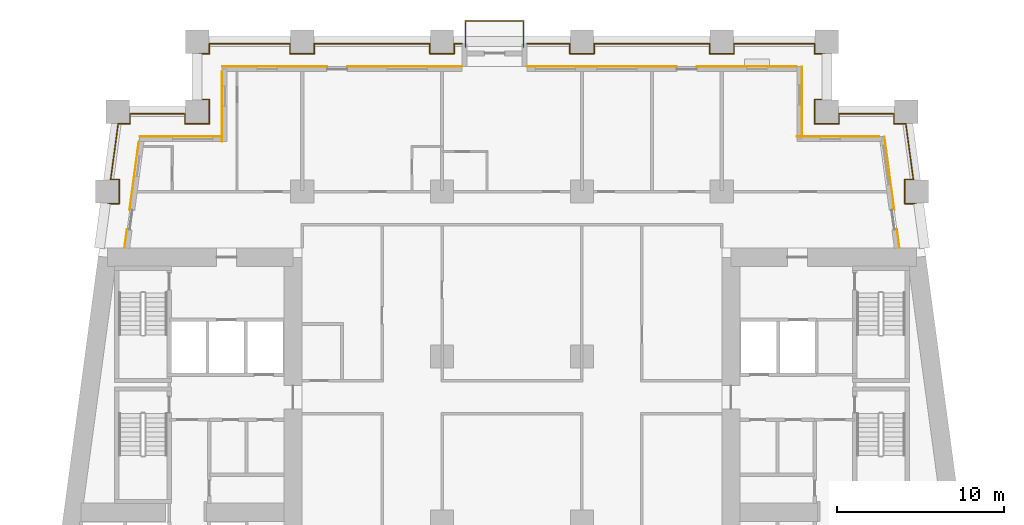
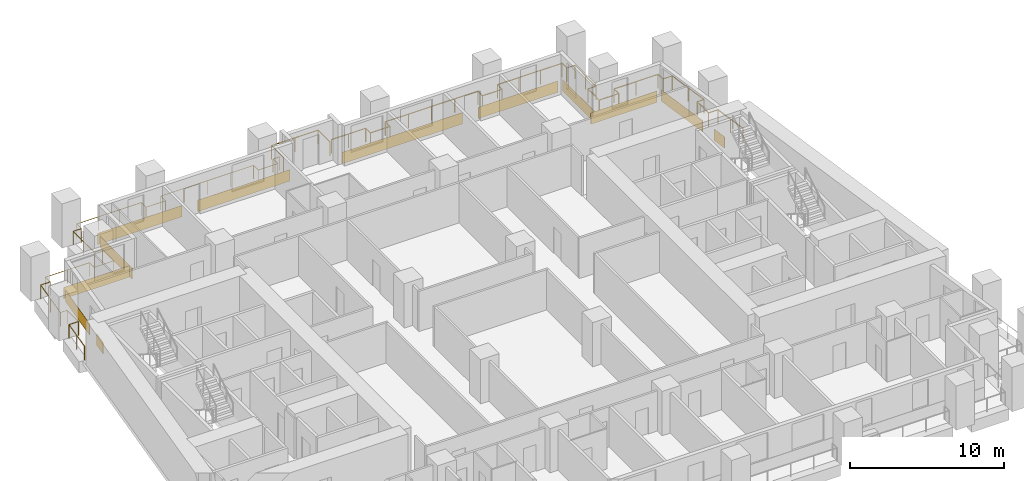
# One storey, part 11 of 12: 12 coverings, 3 railings.
"""IFC4 building model written with IfcOpenShell, lengths in metres."""

from ifc_helpers import new_model, si_unit, direction, frame, origin, origin_2d, place, context, subcontext, project, spatial, rectangle, circle, extrude, material, layer, layer_set, type_object, element, save


model = new_model("IFC4")

# Units and contexts
model_context = context("Model", 3, precision=1e-05, world=origin(), true_north=direction((0.0, 1.0)))
body_context = subcontext(model_context, "Body", "Model", "MODEL_VIEW")
ifc_project = project(units=[si_unit("LENGTHUNIT", "METRE"), si_unit("AREAUNIT", "SQUARE_METRE"), si_unit("VOLUMEUNIT", "CUBIC_METRE"), si_unit("PLANEANGLEUNIT", "RADIAN"), si_unit("MASSUNIT", "GRAM", prefix="KILO")], contexts=[model_context])

# Site, building, storey
site_placement = place(None, origin())
site = spatial("IfcSite", under=ifc_project, at=site_placement, CompositionType="ELEMENT")
building_placement = place(site_placement, origin())
building = spatial("IfcBuilding", under=site, at=building_placement, Name="Candeia Pilgrim Tower and Theatre", CompositionType="ELEMENT")
storey_placement = place(building_placement, frame((0.0, 0.0, 53.0)))
storey = spatial("IfcBuildingStorey", under=building, at=storey_placement, Name="L10", CompositionType="ELEMENT", Elevation=53.0)

# Railings
ifc_material_1 = material(Name="Stainless steel balustrade", Category="steel")
railing_type = type_object("IfcRailingType", Name="G1 loggia guard 1100", PredefinedType="GUARDRAIL", material=ifc_material_1)
railing_1_placement = place(storey_placement, frame((88.758544921875, 132.449951171875, 0.0)))
element("IfcRailing", 1, at=railing_1_placement, inside=storey, type_object=railing_type, Name="Guard L10.2", PredefinedType="GUARDRAIL", context=body_context, shape_type="SweptSolid", body=[
    extrude(circle(Radius=0.02392578125, at=origin_2d()), frame((0.0, 0.0, 1.076171875), z_axis=(0.133439920495, 0.991056904329, 0.0), x_axis=(-0.991056904329, 0.133439920495, 0.0)), (0.0, 0.0, 1.0), 2.643798828125),
    extrude(circle(Radius=0.02392578125, at=origin_2d()), frame((0.352783203125, 2.6201171875, 1.076171875), z_axis=(1.0, 0.0, 0.0), x_axis=(0.0, 1.0, 0.0)), (0.0, 0.0, 1.0), 0.70703125),
    extrude(circle(Radius=0.02392578125, at=origin_2d()), frame((1.059814453125, 2.6201171875, 1.076171875), z_axis=(0.0, 1.0, 0.0), x_axis=(-1.0, 0.0, 0.0)), (0.0, 0.0, 1.0), 1.4599609375),
    extrude(circle(Radius=0.02392578125, at=origin_2d()), frame((1.059814453125, 4.080078125, 1.076171875), z_axis=(-1.0, 0.0, 0.0), x_axis=(0.0, -1.0, 0.0)), (0.0, 0.0, 1.0), 0.510498046875),
    extrude(circle(Radius=0.02392578125, at=origin_2d()), frame((0.54931640625, 4.080078125, 1.076171875), z_axis=(0.133364121373, 0.991067107279, 0.0), x_axis=(-0.991067107279, 0.133364121373, 0.0)), (0.0, 0.0, 1.0), 3.3701171875),
    extrude(circle(Radius=0.02392578125, at=origin_2d()), frame((0.998779296875, 7.420166015625, 1.076171875), z_axis=(1.0, 0.0, 0.0), x_axis=(0.0, 1.0, 0.0)), (0.0, 0.0, 1.0), 0.707275390625),
    extrude(circle(Radius=0.02392578125, at=origin_2d()), frame((1.7060546875, 7.420166015625, 1.076171875), z_axis=(0.0, 1.0, 0.0), x_axis=(-1.0, 0.0, 0.0)), (0.0, 0.0, 1.0), 0.60986328125),
    extrude(circle(Radius=0.02392578125, at=origin_2d()), frame((1.7060546875, 8.030029296875, 1.076171875), z_axis=(1.0, 0.0, 0.0), x_axis=(0.0, 1.0, 0.0)), (0.0, 0.0, 1.0), 3.305419921875),
    extrude(circle(Radius=0.02392578125, at=origin_2d()), frame((5.011474609375, 8.030029296875, 1.076171875), z_axis=(0.0, -1.0, 0.0), x_axis=(1.0, 0.0, 0.0)), (0.0, 0.0, 1.0), 0.60986328125),
    extrude(circle(Radius=0.02392578125, at=origin_2d()), frame((5.011474609375, 7.420166015625, 1.076171875), z_axis=(1.0, 0.0, 0.0), x_axis=(0.0, 1.0, 0.0)), (0.0, 0.0, 1.0), 1.4599609375),
    extrude(circle(Radius=0.02392578125, at=origin_2d()), frame((6.471435546875, 7.420166015625, 1.076171875), z_axis=(0.0, 1.0, 0.0), x_axis=(-1.0, 0.0, 0.0)), (0.0, 0.0, 1.0), 1.4599609375),
    extrude(circle(Radius=0.02392578125, at=origin_2d()), frame((6.471435546875, 8.880126953125, 1.076171875), z_axis=(-1.0, 0.0, 0.0), x_axis=(0.0, -1.0, 0.0)), (0.0, 0.0, 1.0), 0.60986328125),
    extrude(circle(Radius=0.02392578125, at=origin_2d()), frame((5.861572265625, 8.880126953125, 1.076171875), z_axis=(0.0, 1.0, 0.0), x_axis=(-1.0, 0.0, 0.0)), (0.0, 0.0, 1.0), 2.739990234375),
    extrude(circle(Radius=0.02392578125, at=origin_2d()), frame((5.861572265625, 11.6201171875, 1.076171875), z_axis=(1.0, 0.0, 0.0), x_axis=(0.0, 1.0, 0.0)), (0.0, 0.0, 1.0), 0.60986328125),
    extrude(circle(Radius=0.02392578125, at=origin_2d()), frame((6.471435546875, 11.6201171875, 1.076171875), z_axis=(0.0, 1.0, 0.0), x_axis=(-1.0, 0.0, 0.0)), (0.0, 0.0, 1.0), 0.60986328125),
    extrude(circle(Radius=0.02392578125, at=origin_2d()), frame((6.471435546875, 12.22998046875, 1.076171875), z_axis=(1.0, 0.0, 0.0), x_axis=(0.0, 1.0, 0.0)), (0.0, 0.0, 1.0), 4.840087890625),
    extrude(circle(Radius=0.02392578125, at=origin_2d()), frame((11.3115234375, 12.22998046875, 1.076171875), z_axis=(0.0, -1.0, 0.0), x_axis=(1.0, 0.0, 0.0)), (0.0, 0.0, 1.0), 0.60986328125),
    extrude(circle(Radius=0.02392578125, at=origin_2d()), frame((11.3115234375, 11.6201171875, 1.076171875), z_axis=(1.0, 0.0, 0.0), x_axis=(0.0, 1.0, 0.0)), (0.0, 0.0, 1.0), 1.4599609375),
    extrude(circle(Radius=0.02392578125, at=origin_2d()), frame((12.771484375, 11.6201171875, 1.076171875), z_axis=(0.0, 1.0, 0.0), x_axis=(-1.0, 0.0, 0.0)), (0.0, 0.0, 1.0), 0.60986328125),
    extrude(circle(Radius=0.02392578125, at=origin_2d()), frame((12.771484375, 12.22998046875, 1.076171875), z_axis=(1.0, 0.0, 0.0), x_axis=(0.0, 1.0, 0.0)), (0.0, 0.0, 1.0), 6.93994140625),
    extrude(circle(Radius=0.02392578125, at=origin_2d()), frame((19.71142578125, 12.22998046875, 1.076171875), z_axis=(0.0, -1.0, 0.0), x_axis=(1.0, 0.0, 0.0)), (0.0, 0.0, 1.0), 0.60986328125),
    extrude(circle(Radius=0.02392578125, at=origin_2d()), frame((19.71142578125, 11.6201171875, 1.076171875), z_axis=(1.0, 0.0, 0.0), x_axis=(0.0, 1.0, 0.0)), (0.0, 0.0, 1.0), 1.4599609375),
    extrude(circle(Radius=0.02392578125, at=origin_2d()), frame((21.17138671875, 11.6201171875, 1.076171875), z_axis=(0.0, 1.0, 0.0), x_axis=(-1.0, 0.0, 0.0)), (0.0, 0.0, 1.0), 0.60986328125),
    extrude(circle(Radius=0.02392578125, at=origin_2d()), frame((21.17138671875, 12.22998046875, 1.076171875), z_axis=(1.0, 0.0, 0.0), x_axis=(0.0, 1.0, 0.0)), (0.0, 0.0, 1.0), 0.469970703125),
    extrude(circle(Radius=0.02099609375, at=origin_2d()), origin(), (0.0, 0.0, 1.0), 1.052001953125),
    extrude(circle(Radius=0.02099609375, at=origin_2d()), frame((0.17626953125, 1.31005859375, 0.0)), (0.0, 0.0, 1.0), 1.052001953125),
    extrude(circle(Radius=0.02099609375, at=origin_2d()), frame((0.352783203125, 2.6201171875, 0.0)), (0.0, 0.0, 1.0), 1.052001953125),
    extrude(circle(Radius=0.02099609375, at=origin_2d()), frame((1.059814453125, 2.6201171875, 0.0)), (0.0, 0.0, 1.0), 1.052001953125),
    extrude(circle(Radius=0.02099609375, at=origin_2d()), frame((1.059814453125, 4.080078125, 0.0)), (0.0, 0.0, 1.0), 1.052001953125),
    extrude(circle(Radius=0.02099609375, at=origin_2d()), frame((0.54931640625, 4.080078125, 0.0)), (0.0, 0.0, 1.0), 1.052001953125),
    extrude(circle(Radius=0.02099609375, at=origin_2d()), frame((0.77392578125, 5.75, 0.0)), (0.0, 0.0, 1.0), 1.052001953125),
    extrude(circle(Radius=0.02099609375, at=origin_2d()), frame((0.998779296875, 7.420166015625, 0.0)), (0.0, 0.0, 1.0), 1.052001953125),
    extrude(circle(Radius=0.02099609375, at=origin_2d()), frame((1.7060546875, 7.420166015625, 0.0)), (0.0, 0.0, 1.0), 1.052001953125),
    extrude(circle(Radius=0.02099609375, at=origin_2d()), frame((1.7060546875, 8.030029296875, 0.0)), (0.0, 0.0, 1.0), 1.052001953125),
    extrude(circle(Radius=0.02099609375, at=origin_2d()), frame((3.35888671875, 8.030029296875, 0.0)), (0.0, 0.0, 1.0), 1.052001953125),
    extrude(circle(Radius=0.02099609375, at=origin_2d()), frame((5.011474609375, 8.030029296875, 0.0)), (0.0, 0.0, 1.0), 1.052001953125),
    extrude(circle(Radius=0.02099609375, at=origin_2d()), frame((5.011474609375, 7.420166015625, 0.0)), (0.0, 0.0, 1.0), 1.052001953125),
    extrude(circle(Radius=0.02099609375, at=origin_2d()), frame((6.471435546875, 7.420166015625, 0.0)), (0.0, 0.0, 1.0), 1.052001953125),
    extrude(circle(Radius=0.02099609375, at=origin_2d()), frame((6.471435546875, 8.880126953125, 0.0)), (0.0, 0.0, 1.0), 1.052001953125),
    extrude(circle(Radius=0.02099609375, at=origin_2d()), frame((5.861572265625, 8.880126953125, 0.0)), (0.0, 0.0, 1.0), 1.052001953125),
    extrude(circle(Radius=0.02099609375, at=origin_2d()), frame((5.861572265625, 10.25, 0.0)), (0.0, 0.0, 1.0), 1.052001953125),
    extrude(circle(Radius=0.02099609375, at=origin_2d()), frame((5.861572265625, 11.6201171875, 0.0)), (0.0, 0.0, 1.0), 1.052001953125),
    extrude(circle(Radius=0.02099609375, at=origin_2d()), frame((6.471435546875, 11.6201171875, 0.0)), (0.0, 0.0, 1.0), 1.052001953125),
    extrude(circle(Radius=0.02099609375, at=origin_2d()), frame((6.471435546875, 12.22998046875, 0.0)), (0.0, 0.0, 1.0), 1.052001953125),
    extrude(circle(Radius=0.02099609375, at=origin_2d()), frame((8.084716796875, 12.22998046875, 0.0)), (0.0, 0.0, 1.0), 1.052001953125),
    extrude(circle(Radius=0.02099609375, at=origin_2d()), frame((9.6982421875, 12.22998046875, 0.0)), (0.0, 0.0, 1.0), 1.052001953125),
    extrude(circle(Radius=0.02099609375, at=origin_2d()), frame((11.3115234375, 12.22998046875, 0.0)), (0.0, 0.0, 1.0), 1.052001953125),
    extrude(circle(Radius=0.02099609375, at=origin_2d()), frame((11.3115234375, 11.6201171875, 0.0)), (0.0, 0.0, 1.0), 1.052001953125),
    extrude(circle(Radius=0.02099609375, at=origin_2d()), frame((12.771484375, 11.6201171875, 0.0)), (0.0, 0.0, 1.0), 1.052001953125),
    extrude(circle(Radius=0.02099609375, at=origin_2d()), frame((12.771484375, 12.22998046875, 0.0)), (0.0, 0.0, 1.0), 1.052001953125),
    extrude(circle(Radius=0.02099609375, at=origin_2d()), frame((14.50634765625, 12.22998046875, 0.0)), (0.0, 0.0, 1.0), 1.052001953125),
    extrude(circle(Radius=0.02099609375, at=origin_2d()), frame((16.241455078125, 12.22998046875, 0.0)), (0.0, 0.0, 1.0), 1.052001953125),
    extrude(circle(Radius=0.02099609375, at=origin_2d()), frame((17.9765625, 12.22998046875, 0.0)), (0.0, 0.0, 1.0), 1.052001953125),
    extrude(circle(Radius=0.02099609375, at=origin_2d()), frame((19.71142578125, 12.22998046875, 0.0)), (0.0, 0.0, 1.0), 1.052001953125),
    extrude(circle(Radius=0.02099609375, at=origin_2d()), frame((19.71142578125, 11.6201171875, 0.0)), (0.0, 0.0, 1.0), 1.052001953125),
    extrude(circle(Radius=0.02099609375, at=origin_2d()), frame((21.17138671875, 11.6201171875, 0.0)), (0.0, 0.0, 1.0), 1.052001953125),
    extrude(circle(Radius=0.02099609375, at=origin_2d()), frame((21.17138671875, 12.22998046875, 0.0)), (0.0, 0.0, 1.0), 1.052001953125),
    extrude(circle(Radius=0.02099609375, at=origin_2d()), frame((21.641357421875, 12.22998046875, 0.0)), (0.0, 0.0, 1.0), 1.052001953125),
])
railing_2_placement = place(storey_placement, frame((114.300048828125, 144.679931640625, 0.0)))
element("IfcRailing", 2, at=railing_2_placement, inside=storey, type_object=railing_type, Name="Guard L10.3", PredefinedType="GUARDRAIL", context=body_context, shape_type="SweptSolid", body=[
    extrude(circle(Radius=0.02392578125, at=origin_2d()), frame((0.0, 0.0, 1.076171875), z_axis=(1.0, 0.0, 0.0), x_axis=(0.0, 1.0, 0.0)), (0.0, 0.0, 1.0), 2.570068359375),
    extrude(circle(Radius=0.02392578125, at=origin_2d()), frame((2.570068359375, 0.0, 1.076171875), z_axis=(0.0, -1.0, 0.0), x_axis=(1.0, 0.0, 0.0)), (0.0, 0.0, 1.0), 0.60986328125),
    extrude(circle(Radius=0.02392578125, at=origin_2d()), frame((2.570068359375, -0.60986328125, 1.076171875), z_axis=(1.0, 0.0, 0.0), x_axis=(0.0, 1.0, 0.0)), (0.0, 0.0, 1.0), 1.4599609375),
    extrude(circle(Radius=0.02392578125, at=origin_2d()), frame((4.030029296875, -0.60986328125, 1.076171875), z_axis=(0.0, 1.0, 0.0), x_axis=(-1.0, 0.0, 0.0)), (0.0, 0.0, 1.0), 0.60986328125),
    extrude(circle(Radius=0.02392578125, at=origin_2d()), frame((4.030029296875, 0.0, 1.076171875), z_axis=(1.0, 0.0, 0.0), x_axis=(0.0, 1.0, 0.0)), (0.0, 0.0, 1.0), 6.93994140625),
    extrude(circle(Radius=0.02392578125, at=origin_2d()), frame((10.969970703125, 0.0, 1.076171875), z_axis=(0.0, -1.0, 0.0), x_axis=(1.0, 0.0, 0.0)), (0.0, 0.0, 1.0), 0.60986328125),
    extrude(circle(Radius=0.02392578125, at=origin_2d()), frame((10.969970703125, -0.60986328125, 1.076171875), z_axis=(1.0, 0.0, 0.0), x_axis=(0.0, 1.0, 0.0)), (0.0, 0.0, 1.0), 1.4599609375),
    extrude(circle(Radius=0.02392578125, at=origin_2d()), frame((12.429931640625, -0.60986328125, 1.076171875), z_axis=(0.0, 1.0, 0.0), x_axis=(-1.0, 0.0, 0.0)), (0.0, 0.0, 1.0), 0.60986328125),
    extrude(circle(Radius=0.02392578125, at=origin_2d()), frame((12.429931640625, 0.0, 1.076171875), z_axis=(1.0, 0.0, 0.0), x_axis=(0.0, 1.0, 0.0)), (0.0, 0.0, 1.0), 4.840087890625),
    extrude(circle(Radius=0.02392578125, at=origin_2d()), frame((17.27001953125, 0.0, 1.076171875), z_axis=(0.0, -1.0, 0.0), x_axis=(1.0, 0.0, 0.0)), (0.0, 0.0, 1.0), 0.60986328125),
    extrude(circle(Radius=0.02392578125, at=origin_2d()), frame((17.27001953125, -0.60986328125, 1.076171875), z_axis=(1.0, 0.0, 0.0), x_axis=(0.0, 1.0, 0.0)), (0.0, 0.0, 1.0), 0.60986328125),
    extrude(circle(Radius=0.02392578125, at=origin_2d()), frame((17.8798828125, -0.60986328125, 1.076171875), z_axis=(0.0, -1.0, 0.0), x_axis=(1.0, 0.0, 0.0)), (0.0, 0.0, 1.0), 2.739990234375),
    extrude(circle(Radius=0.02392578125, at=origin_2d()), frame((17.8798828125, -3.349853515625, 1.076171875), z_axis=(-1.0, 0.0, 0.0), x_axis=(0.0, -1.0, 0.0)), (0.0, 0.0, 1.0), 0.60986328125),
    extrude(circle(Radius=0.02392578125, at=origin_2d()), frame((17.27001953125, -3.349853515625, 1.076171875), z_axis=(0.0, -1.0, 0.0), x_axis=(1.0, 0.0, 0.0)), (0.0, 0.0, 1.0), 1.4599609375),
    extrude(circle(Radius=0.02392578125, at=origin_2d()), frame((17.27001953125, -4.809814453125, 1.076171875), z_axis=(1.0, 0.0, 0.0), x_axis=(0.0, 1.0, 0.0)), (0.0, 0.0, 1.0), 1.4599609375),
    extrude(circle(Radius=0.02392578125, at=origin_2d()), frame((18.72998046875, -4.809814453125, 1.076171875), z_axis=(0.0, 1.0, 0.0), x_axis=(-1.0, 0.0, 0.0)), (0.0, 0.0, 1.0), 0.60986328125),
    extrude(circle(Radius=0.02392578125, at=origin_2d()), frame((18.72998046875, -4.199951171875, 1.076171875), z_axis=(1.0, 0.0, 0.0), x_axis=(0.0, 1.0, 0.0)), (0.0, 0.0, 1.0), 3.305419921875),
    extrude(circle(Radius=0.02392578125, at=origin_2d()), frame((22.035400390625, -4.199951171875, 1.076171875), z_axis=(0.0, -1.0, 0.0), x_axis=(1.0, 0.0, 0.0)), (0.0, 0.0, 1.0), 0.60986328125),
    extrude(circle(Radius=0.02392578125, at=origin_2d()), frame((22.035400390625, -4.809814453125, 1.076171875), z_axis=(1.0, 0.0, 0.0), x_axis=(0.0, 1.0, 0.0)), (0.0, 0.0, 1.0), 0.70703125),
    extrude(circle(Radius=0.02392578125, at=origin_2d()), frame((22.742431640625, -4.809814453125, 1.076171875), z_axis=(0.133435273035, -0.991057530071, 0.0), x_axis=(0.991057530071, 0.133435273035, 0.0)), (0.0, 0.0, 1.0), 3.3701171875),
    extrude(circle(Radius=0.02392578125, at=origin_2d()), frame((23.192138671875, -8.14990234375, 1.076171875), z_axis=(-1.0, 0.0, 0.0), x_axis=(0.0, -1.0, 0.0)), (0.0, 0.0, 1.0), 0.5107421875),
    extrude(circle(Radius=0.02392578125, at=origin_2d()), frame((22.681396484375, -8.14990234375, 1.076171875), z_axis=(0.0, -1.0, 0.0), x_axis=(1.0, 0.0, 0.0)), (0.0, 0.0, 1.0), 1.4599609375),
    extrude(circle(Radius=0.02392578125, at=origin_2d()), frame((22.681396484375, -9.60986328125, 1.076171875), z_axis=(1.0, 0.0, 0.0), x_axis=(0.0, 1.0, 0.0)), (0.0, 0.0, 1.0), 0.707275390625),
    extrude(circle(Radius=0.02392578125, at=origin_2d()), frame((23.388671875, -9.60986328125, 1.076171875), z_axis=(0.133439920495, -0.991056904329, 0.0), x_axis=(0.991056904329, 0.133439920495, 0.0)), (0.0, 0.0, 1.0), 2.643798828125),
    extrude(circle(Radius=0.02099609375, at=origin_2d()), origin(), (0.0, 0.0, 1.0), 1.052001953125),
    extrude(circle(Radius=0.02099609375, at=origin_2d()), frame((1.28515625, 0.0, 0.0)), (0.0, 0.0, 1.0), 1.052001953125),
    extrude(circle(Radius=0.02099609375, at=origin_2d()), frame((2.570068359375, 0.0, 0.0)), (0.0, 0.0, 1.0), 1.052001953125),
    extrude(circle(Radius=0.02099609375, at=origin_2d()), frame((2.570068359375, -0.60986328125, 0.0)), (0.0, 0.0, 1.0), 1.052001953125),
    extrude(circle(Radius=0.02099609375, at=origin_2d()), frame((4.030029296875, -0.60986328125, 0.0)), (0.0, 0.0, 1.0), 1.052001953125),
    extrude(circle(Radius=0.02099609375, at=origin_2d()), frame((4.030029296875, 0.0, 0.0)), (0.0, 0.0, 1.0), 1.052001953125),
    extrude(circle(Radius=0.02099609375, at=origin_2d()), frame((5.76513671875, 0.0, 0.0)), (0.0, 0.0, 1.0), 1.052001953125),
    extrude(circle(Radius=0.02099609375, at=origin_2d()), frame((7.5, 0.0, 0.0)), (0.0, 0.0, 1.0), 1.052001953125),
    extrude(circle(Radius=0.02099609375, at=origin_2d()), frame((9.23486328125, 0.0, 0.0)), (0.0, 0.0, 1.0), 1.052001953125),
    extrude(circle(Radius=0.02099609375, at=origin_2d()), frame((10.969970703125, 0.0, 0.0)), (0.0, 0.0, 1.0), 1.052001953125),
    extrude(circle(Radius=0.02099609375, at=origin_2d()), frame((10.969970703125, -0.60986328125, 0.0)), (0.0, 0.0, 1.0), 1.052001953125),
    extrude(circle(Radius=0.02099609375, at=origin_2d()), frame((12.429931640625, -0.60986328125, 0.0)), (0.0, 0.0, 1.0), 1.052001953125),
    extrude(circle(Radius=0.02099609375, at=origin_2d()), frame((12.429931640625, 0.0, 0.0)), (0.0, 0.0, 1.0), 1.052001953125),
    extrude(circle(Radius=0.02099609375, at=origin_2d()), frame((14.043212890625, 0.0, 0.0)), (0.0, 0.0, 1.0), 1.052001953125),
    extrude(circle(Radius=0.02099609375, at=origin_2d()), frame((15.65673828125, 0.0, 0.0)), (0.0, 0.0, 1.0), 1.052001953125),
    extrude(circle(Radius=0.02099609375, at=origin_2d()), frame((17.27001953125, 0.0, 0.0)), (0.0, 0.0, 1.0), 1.052001953125),
    extrude(circle(Radius=0.02099609375, at=origin_2d()), frame((17.27001953125, -0.60986328125, 0.0)), (0.0, 0.0, 1.0), 1.052001953125),
    extrude(circle(Radius=0.02099609375, at=origin_2d()), frame((17.8798828125, -0.60986328125, 0.0)), (0.0, 0.0, 1.0), 1.052001953125),
    extrude(circle(Radius=0.02099609375, at=origin_2d()), frame((17.8798828125, -1.97998046875, 0.0)), (0.0, 0.0, 1.0), 1.052001953125),
    extrude(circle(Radius=0.02099609375, at=origin_2d()), frame((17.8798828125, -3.349853515625, 0.0)), (0.0, 0.0, 1.0), 1.052001953125),
    extrude(circle(Radius=0.02099609375, at=origin_2d()), frame((17.27001953125, -3.349853515625, 0.0)), (0.0, 0.0, 1.0), 1.052001953125),
    extrude(circle(Radius=0.02099609375, at=origin_2d()), frame((17.27001953125, -4.809814453125, 0.0)), (0.0, 0.0, 1.0), 1.052001953125),
    extrude(circle(Radius=0.02099609375, at=origin_2d()), frame((18.72998046875, -4.809814453125, 0.0)), (0.0, 0.0, 1.0), 1.052001953125),
    extrude(circle(Radius=0.02099609375, at=origin_2d()), frame((18.72998046875, -4.199951171875, 0.0)), (0.0, 0.0, 1.0), 1.052001953125),
    extrude(circle(Radius=0.02099609375, at=origin_2d()), frame((20.3828125, -4.199951171875, 0.0)), (0.0, 0.0, 1.0), 1.052001953125),
    extrude(circle(Radius=0.02099609375, at=origin_2d()), frame((22.035400390625, -4.199951171875, 0.0)), (0.0, 0.0, 1.0), 1.052001953125),
    extrude(circle(Radius=0.02099609375, at=origin_2d()), frame((22.035400390625, -4.809814453125, 0.0)), (0.0, 0.0, 1.0), 1.052001953125),
    extrude(circle(Radius=0.02099609375, at=origin_2d()), frame((22.742431640625, -4.809814453125, 0.0)), (0.0, 0.0, 1.0), 1.052001953125),
    extrude(circle(Radius=0.02099609375, at=origin_2d()), frame((22.96728515625, -6.47998046875, 0.0)), (0.0, 0.0, 1.0), 1.052001953125),
    extrude(circle(Radius=0.02099609375, at=origin_2d()), frame((23.192138671875, -8.14990234375, 0.0)), (0.0, 0.0, 1.0), 1.052001953125),
    extrude(circle(Radius=0.02099609375, at=origin_2d()), frame((22.681396484375, -8.14990234375, 0.0)), (0.0, 0.0, 1.0), 1.052001953125),
    extrude(circle(Radius=0.02099609375, at=origin_2d()), frame((22.681396484375, -9.60986328125, 0.0)), (0.0, 0.0, 1.0), 1.052001953125),
    extrude(circle(Radius=0.02099609375, at=origin_2d()), frame((23.388671875, -9.60986328125, 0.0)), (0.0, 0.0, 1.0), 1.052001953125),
    extrude(circle(Radius=0.02099609375, at=origin_2d()), frame((23.56494140625, -10.919921875, 0.0)), (0.0, 0.0, 1.0), 1.052001953125),
    extrude(circle(Radius=0.02099609375, at=origin_2d()), frame((23.741455078125, -12.22998046875, 0.0)), (0.0, 0.0, 1.0), 1.052001953125),
])
railing_3_placement = place(storey_placement, frame((110.610107421875, 144.5, 0.0)))
element("IfcRailing", 3, at=railing_3_placement, inside=storey, type_object=railing_type, Name="Balcony guard L10", PredefinedType="GUARDRAIL", context=body_context, shape_type="SweptSolid", body=[
    extrude(circle(Radius=0.02392578125, at=origin_2d()), frame((0.0, 0.0, 1.076171875), z_axis=(0.0, 1.0, 0.0), x_axis=(-1.0, 0.0, 0.0)), (0.0, 0.0, 1.0), 1.5400390625),
    extrude(circle(Radius=0.02392578125, at=origin_2d()), frame((0.0, 1.5400390625, 1.076171875), z_axis=(1.0, 0.0, 0.0), x_axis=(0.0, 1.0, 0.0)), (0.0, 0.0, 1.0), 3.47998046875),
    extrude(circle(Radius=0.02392578125, at=origin_2d()), frame((3.47998046875, 1.5400390625, 1.076171875), z_axis=(0.0, -1.0, 0.0), x_axis=(1.0, 0.0, 0.0)), (0.0, 0.0, 1.0), 1.5400390625),
    extrude(circle(Radius=0.02099609375, at=origin_2d()), origin(), (0.0, 0.0, 1.0), 1.052001953125),
    extrude(circle(Radius=0.02099609375, at=origin_2d()), frame((0.0, 1.5400390625, 0.0)), (0.0, 0.0, 1.0), 1.052001953125),
    extrude(circle(Radius=0.02099609375, at=origin_2d()), frame((1.739990234375, 1.5400390625, 0.0)), (0.0, 0.0, 1.0), 1.052001953125),
    extrude(circle(Radius=0.02099609375, at=origin_2d()), frame((3.47998046875, 1.5400390625, 0.0)), (0.0, 0.0, 1.0), 1.052001953125),
    extrude(circle(Radius=0.02099609375, at=origin_2d()), frame((3.47998046875, 0.0, 0.0)), (0.0, 0.0, 1.0), 1.052001953125),
])

# Coverings
ifc_material_2 = material(Name="Glazed ceramic tile deep red")
ifc_layer = layer(ifc_material_2, 0.02001953125)
ifc_layer_set = layer_set([ifc_layer], Name="Glazed ceramic tile deep red")
covering_type = type_object("IfcCoveringType", Name="Glazed ceramic tile deep red", PredefinedType="CLADDING", material=ifc_layer_set)
covering_1_placement = place(storey_placement, frame((136.588623046875, 132.97412109375, 0.0), z_axis=(0.0, 0.0, 1.0), x_axis=(-0.133412012145, 0.991060661622, 0.0)))
element("IfcCovering", 4, at=covering_1_placement, inside=storey, type_object=covering_type, Name="Tile cladding deep red L10", PredefinedType="CLADDING", context=body_context, shape_type="SweptSolid", body=[
    extrude(rectangle(XDim=1.115234375, YDim=0.02001953125, at=origin_2d()), origin(), (0.0, 0.0, 1.0), 0.89990234375),
])
covering_2_placement = place(storey_placement, frame((136.058837890625, 136.90869140625, 0.0), z_axis=(0.0, 0.0, 1.0), x_axis=(-0.133412012145, 0.991060661622, 0.0)))
element("IfcCovering", 5, at=covering_2_placement, inside=storey, type_object=covering_type, Name="Tile cladding deep red L10", PredefinedType="CLADDING", context=body_context, shape_type="SweptSolid", body=[
    extrude(rectangle(XDim=4.4248046875, YDim=0.02001953125, at=origin_2d()), origin(), (0.0, 0.0, 1.0), 0.89990234375),
])
covering_3_placement = place(storey_placement, frame((132.976318359375, 139.110107421875, 0.0), z_axis=(0.0, 0.0, 1.0), x_axis=(-1.0, 0.0, 0.0)))
element("IfcCovering", 6, at=covering_3_placement, inside=storey, type_object=covering_type, Name="Tile cladding deep red L10", PredefinedType="CLADDING", context=body_context, shape_type="SweptSolid", body=[
    extrude(rectangle(XDim=4.95263671875, YDim=0.02001953125, at=origin_2d()), origin(), (0.0, 0.0, 1.0), 0.89990234375),
])
covering_4_placement = place(storey_placement, frame((130.81005859375, 141.2099609375, 0.0), z_axis=(0.0, 0.0, 1.0), x_axis=(0.0, 1.0, 0.0)))
element("IfcCovering", 7, at=covering_4_placement, inside=storey, type_object=covering_type, Name="Tile cladding deep red L10", PredefinedType="CLADDING", context=body_context, shape_type="SweptSolid", body=[
    extrude(rectangle(XDim=4.179931640625, YDim=0.02001953125, at=origin_2d()), origin(), (0.0, 0.0, 1.0), 0.89990234375),
])
covering_5_placement = place(storey_placement, frame((127.489990234375, 143.31005859375, 0.0), z_axis=(0.0, 0.0, 1.0), x_axis=(-1.0, 0.0, 0.0)))
element("IfcCovering", 8, at=covering_5_placement, inside=storey, type_object=covering_type, Name="Tile cladding deep red L10", PredefinedType="CLADDING", context=body_context, shape_type="SweptSolid", body=[
    extrude(rectangle(XDim=5.97998046875, YDim=0.02001953125, at=origin_2d()), origin(), (0.0, 0.0, 1.0), 0.89990234375),
])
covering_6_placement = place(storey_placement, frame((118.800048828125, 143.31005859375, 0.0), z_axis=(0.0, 0.0, 1.0), x_axis=(-1.0, 0.0, 0.0)))
element("IfcCovering", 9, at=covering_6_placement, inside=storey, type_object=covering_type, Name="Tile cladding deep red L10", PredefinedType="CLADDING", context=body_context, shape_type="SweptSolid", body=[
    extrude(rectangle(XDim=9.0, YDim=0.02001953125, at=origin_2d()), origin(), (0.0, 0.0, 1.0), 0.89990234375),
])
covering_7_placement = place(storey_placement, frame((106.949951171875, 143.31005859375, 0.0), z_axis=(0.0, 0.0, 1.0), x_axis=(-1.0, 0.0, 0.0)))
element("IfcCovering", 10, at=covering_7_placement, inside=storey, type_object=covering_type, Name="Tile cladding deep red L10", PredefinedType="CLADDING", context=body_context, shape_type="SweptSolid", body=[
    extrude(rectangle(XDim=6.89990234375, YDim=0.02001953125, at=origin_2d()), origin(), (0.0, 0.0, 1.0), 0.89990234375),
])
covering_8_placement = place(storey_placement, frame((99.14990234375, 143.31005859375, 0.0), z_axis=(0.0, 0.0, 1.0), x_axis=(-1.0, 0.0, 0.0)))
element("IfcCovering", 11, at=covering_8_placement, inside=storey, type_object=covering_type, Name="Tile cladding deep red L10", PredefinedType="CLADDING", context=body_context, shape_type="SweptSolid", body=[
    extrude(rectangle(XDim=6.300048828125, YDim=0.02001953125, at=origin_2d()), origin(), (0.0, 0.0, 1.0), 0.89990234375),
])
covering_9_placement = place(storey_placement, frame((95.989990234375, 140.889892578125, 0.0), z_axis=(0.0, 0.0, 1.0), x_axis=(0.0, -1.0, 0.0)))
element("IfcCovering", 12, at=covering_9_placement, inside=storey, type_object=covering_type, Name="Tile cladding deep red L10", PredefinedType="CLADDING", context=body_context, shape_type="SweptSolid", body=[
    extrude(rectangle(XDim=4.179931640625, YDim=0.02001953125, at=origin_2d()), origin(), (0.0, 0.0, 1.0), 0.89990234375),
])
covering_10_placement = place(storey_placement, frame((93.51318359375, 139.110107421875, 0.0), z_axis=(0.0, 0.0, 1.0), x_axis=(-1.0, 0.0, 0.0)))
element("IfcCovering", 13, at=covering_10_placement, inside=storey, type_object=covering_type, Name="Tile cladding deep red L10", PredefinedType="CLADDING", context=body_context, shape_type="SweptSolid", body=[
    extrude(rectangle(XDim=4.933837890625, YDim=0.02001953125, at=origin_2d()), origin(), (0.0, 0.0, 1.0), 0.89990234375),
])
covering_11_placement = place(storey_placement, frame((90.720947265625, 136.759521484375, 0.0), z_axis=(0.0, 0.0, 1.0), x_axis=(-0.133412012145, -0.991060661622, 0.0)))
element("IfcCovering", 14, at=covering_11_placement, inside=storey, type_object=covering_type, Name="Tile cladding deep red L10", PredefinedType="CLADDING", context=body_context, shape_type="SweptSolid", body=[
    extrude(rectangle(XDim=4.123779296875, YDim=0.02001953125, at=origin_2d()), origin(), (0.0, 0.0, 1.0), 0.89990234375),
])
covering_12_placement = place(storey_placement, frame((90.21142578125, 132.97412109375, 0.0), z_axis=(0.0, 0.0, 1.0), x_axis=(-0.133412012145, -0.991060661622, 0.0)))
element("IfcCovering", 15, at=covering_12_placement, inside=storey, type_object=covering_type, Name="Tile cladding deep red L10", PredefinedType="CLADDING", context=body_context, shape_type="SweptSolid", body=[
    extrude(rectangle(XDim=1.115234375, YDim=0.02001953125, at=origin_2d()), origin(), (0.0, 0.0, 1.0), 0.89990234375),
])

save(model, "model.ifc")
